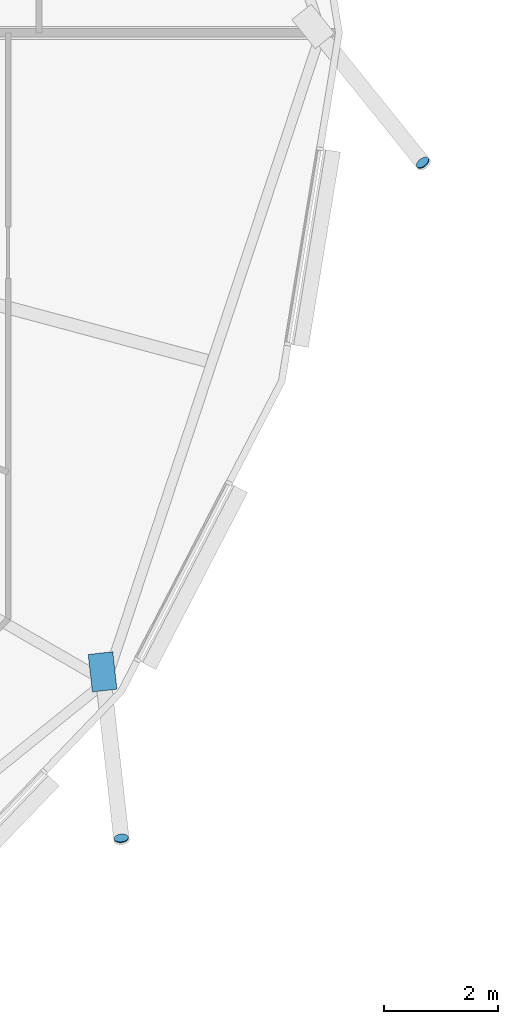
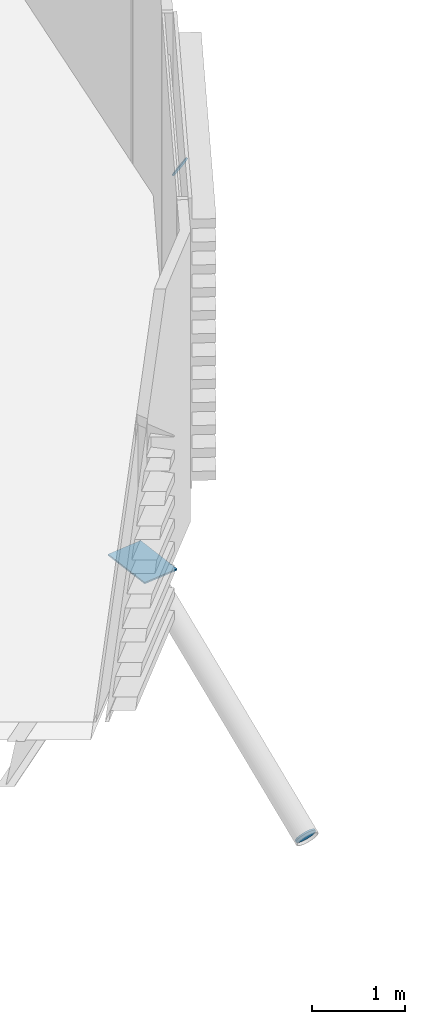
# One storey, part 30 of 42: 3 discrete accessories.
"""IFC4 building model written with IfcOpenShell, lengths in metres."""

from ifc_helpers import new_model, si_unit, direction, frame, origin, origin_2d, place, context, subcontext, project, spatial, polyline, rectangle, circle, outline, extrude, material, material_profile, profile_set, type_object, element, save


model = new_model("IFC4")

# Units and contexts
model_context = context("Model", 3, precision=1e-05, world=origin(), true_north=direction((0.0, 1.0)))
body_context = subcontext(model_context, "Body", "Model", "MODEL_VIEW")
ifc_project = project(units=[si_unit("LENGTHUNIT", "METRE"), si_unit("AREAUNIT", "SQUARE_METRE"), si_unit("VOLUMEUNIT", "CUBIC_METRE"), si_unit("PLANEANGLEUNIT", "RADIAN"), si_unit("MASSUNIT", "GRAM", prefix="KILO")], contexts=[model_context])

# Site, building, storey
site_placement = place(None, origin())
site = spatial("IfcSite", under=ifc_project, at=site_placement, CompositionType="ELEMENT")
building_placement = place(site_placement, origin())
building = spatial("IfcBuilding", under=site, at=building_placement, Name="Rimbun Link Towers", CompositionType="ELEMENT")
storey_placement = place(building_placement, frame((0.0, 0.0, 85.39990234375)))
storey = spatial("IfcBuildingStorey", under=building, at=storey_placement, Name="L20", CompositionType="ELEMENT", Elevation=85.39990234375)

# Discrete accessories
ifc_material_1 = material(Name="Steel S355J2H", Category="steel")
ifc_material_profile_1 = material_profile(ifc_material_1, circle(Radius=0.1240234375, at=origin_2d()), Name="PL D248")
ifc_profile_set_1 = profile_set([ifc_material_profile_1], Name="Steel S355J2H")
discrete_accessory_type_1 = type_object("IfcDiscreteAccessoryType", Name="Link foot sealing plate D248X20", PredefinedType="BRACKET", material=ifc_profile_set_1)
for number, where, z_axis, x_axis, name in (
    (1, (-6.521728515625, -2.271728515625, -2.814697265625), (0.512920313813, -0.659468974903, -0.549557479085), (0.789352217376, 0.613940613515, 0.0), "Link foot sealing plate T1 L20 00"),
    (2, (-11.7978515625, -14.105712890625, -2.541015625), (0.097640875168, -0.829947438925, -0.549229922818), (0.993150604323, 0.116841247567, 0.0), "Link foot sealing plate T1 L20 22"),
):
    element("IfcDiscreteAccessory", number, at=place(storey_placement, frame(where, z_axis=z_axis, x_axis=x_axis)), inside=storey, type_object=discrete_accessory_type_1, Name=name, PredefinedType="BRACKET", context=body_context, shape_type="SweptSolid", body=[
        extrude(circle(Radius=0.1240234375, at=origin_2d()), origin(), (0.0, 0.0, 1.0), 0.02001953125),
    ])
ifc_material_2 = material(Name="Steel S355J2H", Category="steel")
ifc_material_profile_2 = material_profile(ifc_material_2, rectangle(XDim=0.43310546875, YDim=0.43310546875, at=origin_2d()), Name="PL 433x433")
ifc_profile_set_2 = profile_set([ifc_material_profile_2], Name="Steel S355J2H")
discrete_accessory_type_2 = type_object("IfcDiscreteAccessoryType", Name="Link head end plate 433X20", PredefinedType="BRACKET", material=ifc_profile_set_2)
discrete_accessory_placement = place(storey_placement, frame((0.0, 0.0, -0.63330078125)))
element("IfcDiscreteAccessory", 3, at=discrete_accessory_placement, inside=storey, type_object=discrete_accessory_type_2, Name="Link head end plate T1 L20 22", PredefinedType="BRACKET", context=body_context, shape_type="SweptSolid", body=[
    extrude(outline(polyline([(-12.3779296875, -10.8916015625), (-12.303955078125, -11.547607421875), (-11.873779296875, -11.4990234375), (-11.947509765625, -10.843017578125), (-12.3779296875, -10.8916015625)])), origin(), (0.0, 0.0, 1.0), 0.02001953125),
])

save(model, "model.ifc")
